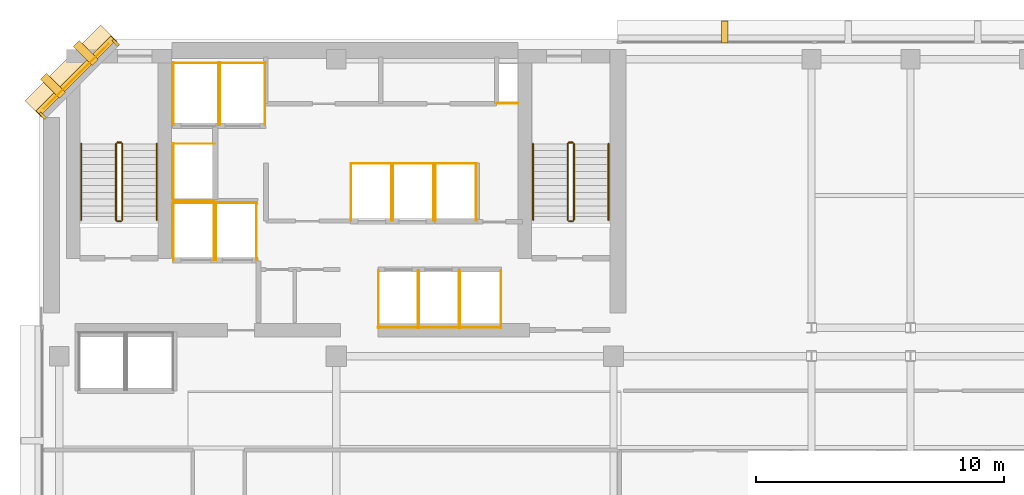
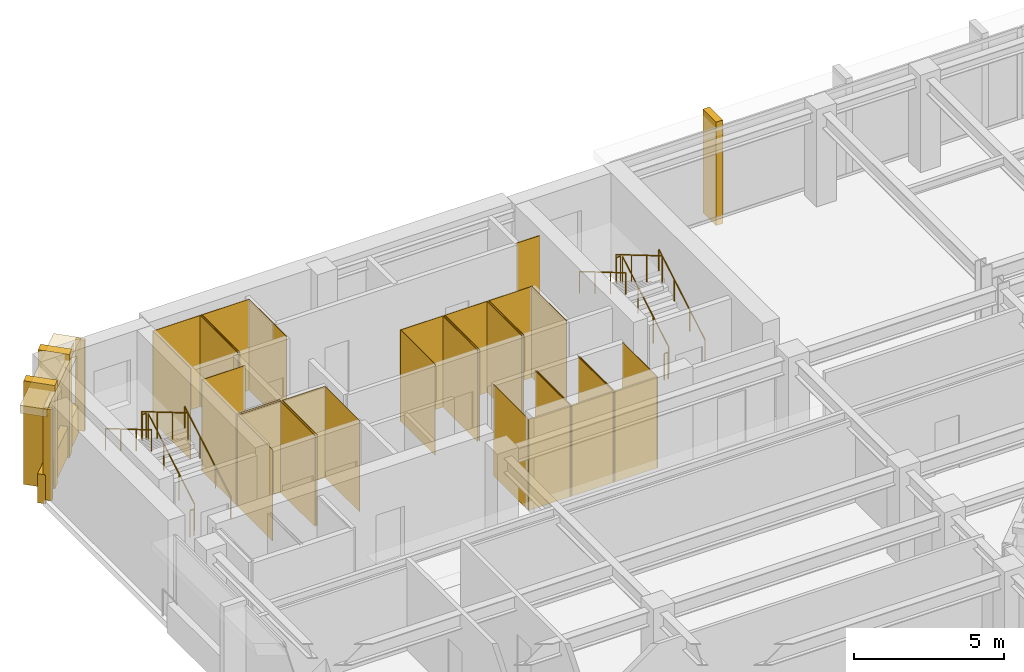
# One storey, part 10 of 11: 42 coverings, 12 railings.
"""IFC4 building model written with IfcOpenShell, lengths in metres."""

import ifcopenshell
import ifcopenshell.guid

model = None  # the IFC model being written
_history = None  # IfcOwnerHistory: only IFC2X3 demands one
_inside = {}  # id of a spatial element -> (the spatial element, [elements in it])
_under = {}  # id of a project, library or spatial element -> (it, [spatial elements below it])
_declared = {}  # id of a project -> (the project, [libraries it declares])
_typed = {}  # id of a type object -> (the type object, [elements of that type])
_made_of = {}  # id of a material, layer set ... -> (it, [elements and type objects made of it])


def new_model(schema):
    """Start an empty IFC model of exactly this schema.

    Asked for "IFC4X3", IfcOpenShell would pick the latest addendum, in which some entities
    have other attributes; the version numbers below select the first issue.
    IFC2X3 requires an IfcOwnerHistory on every rooted entity: one is made here for all.
    """
    global model, _history
    if schema == "IFC4X3":
        model = ifcopenshell.file(schema_version=(4, 3, 0, 0))
    else:
        model = ifcopenshell.file(schema=schema)
    _inside.clear()
    _under.clear()
    _declared.clear()
    _typed.clear()
    _made_of.clear()
    _history = None
    if model.schema == "IFC2X3":
        org = make("IfcOrganization", Name="unknown")
        user = make(
            "IfcPersonAndOrganization",
            ThePerson=make("IfcPerson", FamilyName="unknown"),
            TheOrganization=org,
        )
        app = make(
            "IfcApplication",
            ApplicationDeveloper=org,
            Version="unknown",
            ApplicationFullName="unknown",
            ApplicationIdentifier="unknown",
        )
        _history = make(
            "IfcOwnerHistory",
            OwningUser=user,
            OwningApplication=app,
            ChangeAction="ADDED",
            CreationDate=0,
        )
    return model


def make(cls, **values):
    """One entity of the class cls with the attributes given. An attribute that is None is left unset."""
    return model.create_entity(
        cls, **{name: value for name, value in values.items() if value is not None}
    )


def rooted(cls, **values):
    """An entity with a GlobalId (a new one), such as an element, a storey or a relation."""
    return make(cls, GlobalId=ifcopenshell.guid.new(), OwnerHistory=_history, **values)


def si_unit(unit_type, name, prefix=None):
    """IfcSIUnit, for example si_unit("LENGTHUNIT", "METRE", prefix="MILLI")."""
    return make("IfcSIUnit", UnitType=unit_type, Prefix=prefix, Name=name)


def assignment(units):
    """IfcUnitAssignment: the units of a project."""
    return None if units is None else make("IfcUnitAssignment", Units=units)


def point(xyz):
    """IfcCartesianPoint."""
    return None if xyz is None else make("IfcCartesianPoint", Coordinates=xyz)


def direction(xyz):
    """IfcDirection."""
    return None if xyz is None else make("IfcDirection", DirectionRatios=xyz)


def frame(location, z_axis=None, x_axis=None):
    """IfcAxis2Placement3D, a coordinate frame: its origin and axes. An axis left out is left unset."""
    return make(
        "IfcAxis2Placement3D",
        Location=point(location),
        Axis=direction(z_axis),
        RefDirection=direction(x_axis),
    )


def frame_2d(location, x_axis=None):
    """IfcAxis2Placement2D, a coordinate frame in the plane: its origin and x axis."""
    return make(
        "IfcAxis2Placement2D", Location=point(location), RefDirection=direction(x_axis)
    )


def origin():
    """The frame at (0, 0, 0) with its axes left unset."""
    return frame((0.0, 0.0, 0.0))


def origin_2d():
    """The frame at (0, 0) in the plane with its x axis left unset."""
    return frame_2d((0.0, 0.0))


def place(relative_to, where):
    """IfcLocalPlacement: puts the frame where relative to a parent placement (None: the world)."""
    return make(
        "IfcLocalPlacement", PlacementRelTo=relative_to, RelativePlacement=where
    )


def context(
    kind, dimensions, precision=None, world=None, true_north=None, identifier=None
):
    """IfcGeometricRepresentationContext, for example the 3D "Model" context."""
    return make(
        "IfcGeometricRepresentationContext",
        ContextIdentifier=identifier,
        ContextType=kind,
        CoordinateSpaceDimension=dimensions,
        Precision=precision,
        WorldCoordinateSystem=world,
        TrueNorth=true_north,
    )


def subcontext(parent, identifier, kind, view, scale=None):
    """IfcGeometricRepresentationSubContext, for example "Body" below "Model"."""
    return make(
        "IfcGeometricRepresentationSubContext",
        ContextIdentifier=identifier,
        ContextType=kind,
        ParentContext=parent,
        TargetScale=scale,
        TargetView=view,
    )


def project(units=None, contexts=None):
    """IfcProject with its units and contexts."""
    return rooted(
        "IfcProject",
        Name="project",
        RepresentationContexts=contexts,
        UnitsInContext=assignment(units),
    )


def spatial(cls, under=None, at=None, **own):
    """A site, building, storey or space (cls), placed at a placement, below another one or the project."""
    s = rooted(cls, ObjectPlacement=at, **own)
    if under is not None:
        _under.setdefault(under.id(), (under, []))[1].append(s)
    return s


def polyline(points):
    """IfcPolyline through the points."""
    return make("IfcPolyline", Points=[point(p) for p in points])


def profile(cls, at=None, kind="AREA", **sizes):
    """A parametric profile (cls). Its sizes go by their IFC names, for example OverallWidth=200.0."""
    return make(cls, ProfileType=kind, Position=at, **sizes)


def rectangle(**sizes):
    """IfcRectangleProfileDef."""
    return profile("IfcRectangleProfileDef", **sizes)


def circle(**sizes):
    """IfcCircleProfileDef."""
    return profile("IfcCircleProfileDef", **sizes)


def outline(outer, holes=None, kind="AREA"):
    """IfcArbitraryClosedProfileDef: a profile drawn as a closed curve; with holes, ...WithVoids."""
    if holes is None:
        return make("IfcArbitraryClosedProfileDef", ProfileType=kind, OuterCurve=outer)
    return make(
        "IfcArbitraryProfileDefWithVoids",
        ProfileType=kind,
        OuterCurve=outer,
        InnerCurves=holes,
    )


def extrude(swept, where, along, depth):
    """IfcExtrudedAreaSolid: the profile swept, set in the frame where, extruded along a direction by depth."""
    return make(
        "IfcExtrudedAreaSolid",
        SweptArea=swept,
        Position=where,
        ExtrudedDirection=direction(along),
        Depth=depth,
    )


def shape(context_of_items, identifier, shape_type, items):
    """IfcShapeRepresentation: the items that make up one representation, for example the "Body"."""
    return make(
        "IfcShapeRepresentation",
        ContextOfItems=context_of_items,
        RepresentationIdentifier=identifier,
        RepresentationType=shape_type,
        Items=items,
    )


def material(Name=None, Category=None):
    """IfcMaterial."""
    return make("IfcMaterial", Name=Name, Category=Category)


def layer(
    of_material, thickness, ventilated=None, Name=None, Category=None, Priority=None
):
    """IfcMaterialLayer: one layer of a wall or slab, of a material (None: an air gap)."""
    return make(
        "IfcMaterialLayer",
        Material=of_material,
        LayerThickness=thickness,
        IsVentilated=ventilated,
        Name=Name,
        Category=Category,
        Priority=Priority,
    )


def layer_set(layers, Name=None):
    """IfcMaterialLayerSet."""
    return make("IfcMaterialLayerSet", MaterialLayers=layers, LayerSetName=Name)


def made_of(thing, what):
    """Note that an element or type object is made of a material, layer set ...; save() writes the relation."""
    if what is not None:
        _made_of.setdefault(what.id(), (what, []))[1].append(thing)
    return thing


def type_object(cls, material=None, **own):
    """A type object (cls), such as IfcWallType, which elements share."""
    return made_of(rooted(cls, **own), material)


def element(
    cls,
    number,
    at=None,
    inside=None,
    cuts=None,
    type_object=None,
    material=None,
    context=None,
    identifier="Body",
    shape_type=None,
    held_by="IfcProductDefinitionShape",
    body=None,
    shapes=None,
    **own,
):
    """One element of the class cls, such as IfcWall. Its Tag is "e" and its number.

    at: its placement. inside: the storey or other place that contains it. cuts: it is an
    opening in that element (IfcRelVoidsElement). A single representation is given by context,
    identifier, shape_type and body (its items); several are given by shapes. held_by: the class
    of the entity that holds the representations. save() writes the other relations.
    """
    e = rooted(cls, Tag="e%d" % number, ObjectPlacement=at, **own)
    if body is not None:
        shapes = [shape(context, identifier, shape_type, body)]
    if shapes is not None:
        e.Representation = make(held_by, Representations=shapes)
    if inside is not None:
        _inside.setdefault(inside.id(), (inside, []))[1].append(e)
    if cuts is not None:
        rooted(
            "IfcRelVoidsElement", RelatingBuildingElement=cuts, RelatedOpeningElement=e
        )
    if type_object is not None:
        _typed.setdefault(type_object.id(), (type_object, []))[1].append(e)
    return made_of(e, material)


def aggregate(whole, parts):
    """IfcRelAggregates: a whole, such as a stair, and the parts it consists of."""
    return rooted("IfcRelAggregates", RelatingObject=whole, RelatedObjects=parts)


def save(model, path):
    """Write the relations noted so far, then the file.

    IfcRelAggregates (storeys below a building ...), IfcRelContainedInSpatialStructure (elements
    in a storey), IfcRelDefinesByType, IfcRelAssociatesMaterial and IfcRelDeclares: one each for
    every whole, place, type object, material and project.
    """
    for whole, parts in _under.values():
        aggregate(whole, parts)
    for where, things in _inside.values():
        rooted(
            "IfcRelContainedInSpatialStructure",
            RelatedElements=things,
            RelatingStructure=where,
        )
    for kind, things in _typed.values():
        rooted("IfcRelDefinesByType", RelatedObjects=things, RelatingType=kind)
    for what, things in _made_of.values():
        rooted("IfcRelAssociatesMaterial", RelatedObjects=things, RelatingMaterial=what)
    for by, libraries in _declared.values():
        rooted("IfcRelDeclares", RelatingContext=by, RelatedDefinitions=libraries)
    model.write(path)


model = new_model("IFC4")

# Units and contexts
model_context = context("Model", 3, precision=1e-05, world=origin(), true_north=direction((0.0, 1.0)))
body_context = subcontext(model_context, "Body", "Model", "MODEL_VIEW")
ifc_project = project(units=[si_unit("LENGTHUNIT", "METRE"), si_unit("AREAUNIT", "SQUARE_METRE"), si_unit("VOLUMEUNIT", "CUBIC_METRE"), si_unit("PLANEANGLEUNIT", "RADIAN"), si_unit("MASSUNIT", "GRAM", prefix="KILO")], contexts=[model_context])

# Site, building, storey
site_placement = place(None, origin())
site = spatial("IfcSite", under=ifc_project, at=site_placement, CompositionType="ELEMENT")
building_placement = place(site_placement, origin())
building = spatial("IfcBuilding", under=site, at=building_placement, Name="Kefirva Bronze Tower", CompositionType="ELEMENT")
storey_placement = place(building_placement, frame((0.0, 0.0, 191.39990234375)))
storey = spatial("IfcBuildingStorey", under=building, at=storey_placement, Name="L46", CompositionType="ELEMENT", Elevation=191.39990234375)

# Coverings
ifc_material_1 = material(Name="Bronze anodised aluminium", Category="aluminium")
ifc_layer_1 = layer(ifc_material_1, 0.02001953125, Name="Bronze anodised aluminium")
ifc_layer_set_1 = layer_set([ifc_layer_1], Name="Bronze anodised aluminium")
covering_type_1 = type_object("IfcCoveringType", Name="Anodised Bronze Spandrel Cladding 20mm", PredefinedType="CLADDING", material=ifc_layer_set_1)
covering_1_placement = place(storey_placement, frame((1.492919921875, 44.507080078125, 3.2900390625), z_axis=(0.0, 0.0, 1.0), x_axis=(-0.707106781187, -0.707106781187, 0.0)))
element("IfcCovering", 1, at=covering_1_placement, inside=storey, type_object=covering_type_1, Name="L46 Bronze Spandrel Cladding 7", PredefinedType="CLADDING", context=body_context, shape_type="SweptSolid", body=[
    extrude(rectangle(XDim=3.719482421875, YDim=0.02001953125, at=origin_2d()), origin(), (0.0, 0.0, 1.0), 0.39990234375),
])
for number, where, z_axis, x_axis, name in (
    (2, (3.08837890625, 45.862060546875, 0.0), (0.0, 0.0, 1.0), (-0.707106781187, -0.707106781187, 0.0), "L46 Facade Joint Closure Panel 7S"),
    (3, (0.137939453125, 42.91162109375, 0.0), (0.0, 0.0, 1.0), (-0.707106781187, -0.707106781187, 0.0), "L46 Facade Joint Closure Panel 7E"),
):
    element("IfcCovering", number, at=place(storey_placement, frame(where, z_axis=z_axis, x_axis=x_axis)), inside=storey, type_object=covering_type_1, Name=name, PredefinedType="CLADDING", context=body_context, shape_type="SweptSolid", body=[
        extrude(rectangle(XDim=0.10009765625, YDim=0.320068359375, at=origin_2d()), origin(), (0.0, 0.0, 1.0), 3.7099609375),
    ])
covering_2_placement = place(storey_placement, frame((1.4716796875, 44.5283203125, -0.15966796875), z_axis=(0.0, 0.0, 1.0), x_axis=(-0.707106781187, -0.707106781187, 0.0)))
element("IfcCovering", 4, at=covering_2_placement, inside=storey, type_object=covering_type_1, Name="L46 Streamline Horizontal Spandrel Band 9", PredefinedType="CLADDING", context=body_context, shape_type="SweptSolid", body=[
    extrude(rectangle(XDim=4.28271484375, YDim=0.280029296875, at=origin_2d()), origin(), (0.0, 0.0, 1.0), 1.179931640625),
])
covering_3_placement = place(storey_placement, origin())
element("IfcCovering", 5, at=covering_3_placement, inside=storey, type_object=covering_type_1, Name="L46 Lift FF1 Hoistway Liner N", PredefinedType="CLADDING", context=body_context, shape_type="SweptSolid", body=[
    extrude(outline(polyline([(5.39990234375, 39.389892578125), (7.080078125, 39.389892578125), (7.080078125, 39.409912109375), (5.39990234375, 39.409912109375), (5.39990234375, 39.389892578125)])), origin(), (0.0, 0.0, 1.0), 3.710205078125),
])
covering_4_placement = place(storey_placement, origin())
element("IfcCovering", 6, at=covering_4_placement, inside=storey, type_object=covering_type_1, Name="L46 Lift FF1 Hoistway Liner W", PredefinedType="CLADDING", context=body_context, shape_type="SweptSolid", body=[
    extrude(outline(polyline([(5.409912109375, 37.080078125), (5.429931640625, 37.080078125), (5.429931640625, 39.419921875), (5.409912109375, 39.419921875), (5.409912109375, 37.080078125)])), origin(), (0.0, 0.0, 1.0), 3.710205078125),
])
covering_5_placement = place(storey_placement, origin())
element("IfcCovering", 7, at=covering_5_placement, inside=storey, type_object=covering_type_1, Name="L46 Lift FF1 Hoistway Liner E", PredefinedType="CLADDING", context=body_context, shape_type="SweptSolid", body=[
    extrude(outline(polyline([(7.050048828125, 37.080078125), (7.070068359375, 37.080078125), (7.070068359375, 39.419921875), (7.050048828125, 39.419921875), (7.050048828125, 37.080078125)])), origin(), (0.0, 0.0, 1.0), 3.710205078125),
])
covering_6_placement = place(storey_placement, origin())
element("IfcCovering", 8, at=covering_6_placement, inside=storey, type_object=covering_type_1, Name="L46 Lift FF2 Hoistway Liner N", PredefinedType="CLADDING", context=body_context, shape_type="SweptSolid", body=[
    extrude(outline(polyline([(7.1201171875, 39.389892578125), (8.800048828125, 39.389892578125), (8.800048828125, 39.409912109375), (7.1201171875, 39.409912109375), (7.1201171875, 39.389892578125)])), origin(), (0.0, 0.0, 1.0), 3.710205078125),
])
covering_7_placement = place(storey_placement, origin())
element("IfcCovering", 9, at=covering_7_placement, inside=storey, type_object=covering_type_1, Name="L46 Lift FF2 Hoistway Liner W", PredefinedType="CLADDING", context=body_context, shape_type="SweptSolid", body=[
    extrude(outline(polyline([(7.1298828125, 37.080078125), (7.14990234375, 37.080078125), (7.14990234375, 39.419921875), (7.1298828125, 39.419921875), (7.1298828125, 37.080078125)])), origin(), (0.0, 0.0, 1.0), 3.710205078125),
])
covering_8_placement = place(storey_placement, origin())
element("IfcCovering", 10, at=covering_8_placement, inside=storey, type_object=covering_type_1, Name="L46 Lift FF2 Hoistway Liner E", PredefinedType="CLADDING", context=body_context, shape_type="SweptSolid", body=[
    extrude(outline(polyline([(8.77001953125, 37.080078125), (8.7900390625, 37.080078125), (8.7900390625, 39.419921875), (8.77001953125, 39.419921875), (8.77001953125, 37.080078125)])), origin(), (0.0, 0.0, 1.0), 3.710205078125),
])
covering_9_placement = place(storey_placement, origin())
element("IfcCovering", 11, at=covering_9_placement, inside=storey, type_object=covering_type_1, Name="L46 Lift SV1 Hoistway Liner N", PredefinedType="CLADDING", context=body_context, shape_type="SweptSolid", body=[
    extrude(outline(polyline([(5.39990234375, 45.0400390625), (7.260009765625, 45.0400390625), (7.260009765625, 45.06005859375), (5.39990234375, 45.06005859375), (5.39990234375, 45.0400390625)])), origin(), (0.0, 0.0, 1.0), 3.710205078125),
])
covering_10_placement = place(storey_placement, origin())
element("IfcCovering", 12, at=covering_10_placement, inside=storey, type_object=covering_type_1, Name="L46 Lift SV1 Hoistway Liner W", PredefinedType="CLADDING", context=body_context, shape_type="SweptSolid", body=[
    extrude(outline(polyline([(5.409912109375, 42.530029296875), (5.429931640625, 42.530029296875), (5.429931640625, 45.070068359375), (5.409912109375, 45.070068359375), (5.409912109375, 42.530029296875)])), origin(), (0.0, 0.0, 1.0), 3.710205078125),
])
covering_11_placement = place(storey_placement, origin())
element("IfcCovering", 13, at=covering_11_placement, inside=storey, type_object=covering_type_1, Name="L46 Lift SV1 Hoistway Liner E", PredefinedType="CLADDING", context=body_context, shape_type="SweptSolid", body=[
    extrude(outline(polyline([(7.22998046875, 42.530029296875), (7.25, 42.530029296875), (7.25, 45.070068359375), (7.22998046875, 45.070068359375), (7.22998046875, 42.530029296875)])), origin(), (0.0, 0.0, 1.0), 3.710205078125),
])
covering_12_placement = place(storey_placement, origin())
element("IfcCovering", 14, at=covering_12_placement, inside=storey, type_object=covering_type_1, Name="L46 Lift SV2 Hoistway Liner N", PredefinedType="CLADDING", context=body_context, shape_type="SweptSolid", body=[
    extrude(outline(polyline([(7.280029296875, 45.0400390625), (9.139892578125, 45.0400390625), (9.139892578125, 45.06005859375), (7.280029296875, 45.06005859375), (7.280029296875, 45.0400390625)])), origin(), (0.0, 0.0, 1.0), 3.710205078125),
])
covering_13_placement = place(storey_placement, origin())
element("IfcCovering", 15, at=covering_13_placement, inside=storey, type_object=covering_type_1, Name="L46 Lift SV2 Hoistway Liner W", PredefinedType="CLADDING", context=body_context, shape_type="SweptSolid", body=[
    extrude(outline(polyline([(7.2900390625, 42.530029296875), (7.31005859375, 42.530029296875), (7.31005859375, 45.070068359375), (7.2900390625, 45.070068359375), (7.2900390625, 42.530029296875)])), origin(), (0.0, 0.0, 1.0), 3.710205078125),
])
covering_14_placement = place(storey_placement, origin())
element("IfcCovering", 16, at=covering_14_placement, inside=storey, type_object=covering_type_1, Name="L46 Lift SV2 Hoistway Liner E", PredefinedType="CLADDING", context=body_context, shape_type="SweptSolid", body=[
    extrude(outline(polyline([(9.110107421875, 42.530029296875), (9.1298828125, 42.530029296875), (9.1298828125, 45.070068359375), (9.110107421875, 45.070068359375), (9.110107421875, 42.530029296875)])), origin(), (0.0, 0.0, 1.0), 3.710205078125),
])
covering_15_placement = place(storey_placement, origin())
element("IfcCovering", 17, at=covering_15_placement, inside=storey, type_object=covering_type_1, Name="L46 Lift MP1 Hoistway Liner S", PredefinedType="CLADDING", context=body_context, shape_type="SweptSolid", body=[
    extrude(outline(polyline([(13.679931640625, 34.340087890625), (15.320068359375, 34.340087890625), (15.320068359375, 34.360107421875), (13.679931640625, 34.360107421875), (13.679931640625, 34.340087890625)])), origin(), (0.0, 0.0, 1.0), 3.710205078125),
])
covering_16_placement = place(storey_placement, origin())
element("IfcCovering", 18, at=covering_16_placement, inside=storey, type_object=covering_type_1, Name="L46 Lift MP1 Hoistway Liner W", PredefinedType="CLADDING", context=body_context, shape_type="SweptSolid", body=[
    extrude(outline(polyline([(13.68994140625, 34.330078125), (13.7099609375, 34.330078125), (13.7099609375, 36.669921875), (13.68994140625, 36.669921875), (13.68994140625, 34.330078125)])), origin(), (0.0, 0.0, 1.0), 3.710205078125),
])
covering_17_placement = place(storey_placement, origin())
element("IfcCovering", 19, at=covering_17_placement, inside=storey, type_object=covering_type_1, Name="L46 Lift MP1 Hoistway Liner E", PredefinedType="CLADDING", context=body_context, shape_type="SweptSolid", body=[
    extrude(outline(polyline([(15.2900390625, 34.330078125), (15.31005859375, 34.330078125), (15.31005859375, 36.669921875), (15.2900390625, 36.669921875), (15.2900390625, 34.330078125)])), origin(), (0.0, 0.0, 1.0), 3.710205078125),
])
covering_18_placement = place(storey_placement, origin())
element("IfcCovering", 20, at=covering_18_placement, inside=storey, type_object=covering_type_1, Name="L46 Lift MP2 Hoistway Liner S", PredefinedType="CLADDING", context=body_context, shape_type="SweptSolid", body=[
    extrude(outline(polyline([(15.330078125, 34.340087890625), (16.969970703125, 34.340087890625), (16.969970703125, 34.360107421875), (15.330078125, 34.360107421875), (15.330078125, 34.340087890625)])), origin(), (0.0, 0.0, 1.0), 3.710205078125),
])
covering_19_placement = place(storey_placement, origin())
element("IfcCovering", 21, at=covering_19_placement, inside=storey, type_object=covering_type_1, Name="L46 Lift MP2 Hoistway Liner W", PredefinedType="CLADDING", context=body_context, shape_type="SweptSolid", body=[
    extrude(outline(polyline([(15.340087890625, 34.330078125), (15.360107421875, 34.330078125), (15.360107421875, 36.669921875), (15.340087890625, 36.669921875), (15.340087890625, 34.330078125)])), origin(), (0.0, 0.0, 1.0), 3.710205078125),
])
covering_20_placement = place(storey_placement, origin())
element("IfcCovering", 22, at=covering_20_placement, inside=storey, type_object=covering_type_1, Name="L46 Lift MP2 Hoistway Liner E", PredefinedType="CLADDING", context=body_context, shape_type="SweptSolid", body=[
    extrude(outline(polyline([(16.93994140625, 34.330078125), (16.9599609375, 34.330078125), (16.9599609375, 36.669921875), (16.93994140625, 36.669921875), (16.93994140625, 34.330078125)])), origin(), (0.0, 0.0, 1.0), 3.710205078125),
])
covering_21_placement = place(storey_placement, origin())
element("IfcCovering", 23, at=covering_21_placement, inside=storey, type_object=covering_type_1, Name="L46 Lift MP3 Hoistway Liner N", PredefinedType="CLADDING", context=body_context, shape_type="SweptSolid", body=[
    extrude(outline(polyline([(12.580078125, 40.969970703125), (14.25, 40.969970703125), (14.25, 40.989990234375), (12.580078125, 40.989990234375), (12.580078125, 40.969970703125)])), origin(), (0.0, 0.0, 1.0), 3.710205078125),
])
covering_22_placement = place(storey_placement, origin())
element("IfcCovering", 24, at=covering_22_placement, inside=storey, type_object=covering_type_1, Name="L46 Lift MP3 Hoistway Liner W", PredefinedType="CLADDING", context=body_context, shape_type="SweptSolid", body=[
    extrude(outline(polyline([(12.590087890625, 38.659912109375), (12.610107421875, 38.659912109375), (12.610107421875, 41.0), (12.590087890625, 41.0), (12.590087890625, 38.659912109375)])), origin(), (0.0, 0.0, 1.0), 3.710205078125),
])
covering_23_placement = place(storey_placement, origin())
element("IfcCovering", 25, at=covering_23_placement, inside=storey, type_object=covering_type_1, Name="L46 Lift MP3 Hoistway Liner E", PredefinedType="CLADDING", context=body_context, shape_type="SweptSolid", body=[
    extrude(outline(polyline([(14.219970703125, 38.659912109375), (14.239990234375, 38.659912109375), (14.239990234375, 41.0), (14.219970703125, 41.0), (14.219970703125, 38.659912109375)])), origin(), (0.0, 0.0, 1.0), 3.710205078125),
])
covering_24_placement = place(storey_placement, origin())
element("IfcCovering", 26, at=covering_24_placement, inside=storey, type_object=covering_type_1, Name="L46 Lift MP4 Hoistway Liner N", PredefinedType="CLADDING", context=body_context, shape_type="SweptSolid", body=[
    extrude(outline(polyline([(14.280029296875, 40.969970703125), (15.949951171875, 40.969970703125), (15.949951171875, 40.989990234375), (14.280029296875, 40.989990234375), (14.280029296875, 40.969970703125)])), origin(), (0.0, 0.0, 1.0), 3.710205078125),
])
covering_25_placement = place(storey_placement, origin())
element("IfcCovering", 27, at=covering_25_placement, inside=storey, type_object=covering_type_1, Name="L46 Lift MP4 Hoistway Liner W", PredefinedType="CLADDING", context=body_context, shape_type="SweptSolid", body=[
    extrude(outline(polyline([(14.2900390625, 38.659912109375), (14.31005859375, 38.659912109375), (14.31005859375, 41.0), (14.2900390625, 41.0), (14.2900390625, 38.659912109375)])), origin(), (0.0, 0.0, 1.0), 3.710205078125),
])
covering_26_placement = place(storey_placement, origin())
element("IfcCovering", 28, at=covering_26_placement, inside=storey, type_object=covering_type_1, Name="L46 Lift MP4 Hoistway Liner E", PredefinedType="CLADDING", context=body_context, shape_type="SweptSolid", body=[
    extrude(outline(polyline([(15.919921875, 38.659912109375), (15.93994140625, 38.659912109375), (15.93994140625, 41.0), (15.919921875, 41.0), (15.919921875, 38.659912109375)])), origin(), (0.0, 0.0, 1.0), 3.710205078125),
])
covering_27_placement = place(storey_placement, origin())
element("IfcCovering", 29, at=covering_27_placement, inside=storey, type_object=covering_type_1, Name="L46 Lift HP1 Hoistway Liner S", PredefinedType="CLADDING", context=body_context, shape_type="SweptSolid", body=[
    extrude(outline(polyline([(16.97998046875, 34.340087890625), (18.669921875, 34.340087890625), (18.669921875, 34.360107421875), (16.97998046875, 34.360107421875), (16.97998046875, 34.340087890625)])), origin(), (0.0, 0.0, 1.0), 3.710205078125),
])
covering_28_placement = place(storey_placement, origin())
element("IfcCovering", 30, at=covering_28_placement, inside=storey, type_object=covering_type_1, Name="L46 Lift HP1 Hoistway Liner W", PredefinedType="CLADDING", context=body_context, shape_type="SweptSolid", body=[
    extrude(outline(polyline([(16.989990234375, 34.330078125), (17.010009765625, 34.330078125), (17.010009765625, 36.669921875), (16.989990234375, 36.669921875), (16.989990234375, 34.330078125)])), origin(), (0.0, 0.0, 1.0), 3.710205078125),
])
covering_29_placement = place(storey_placement, origin())
element("IfcCovering", 31, at=covering_29_placement, inside=storey, type_object=covering_type_1, Name="L46 Lift HP1 Hoistway Liner E", PredefinedType="CLADDING", context=body_context, shape_type="SweptSolid", body=[
    extrude(outline(polyline([(18.639892578125, 34.330078125), (18.659912109375, 34.330078125), (18.659912109375, 36.669921875), (18.639892578125, 36.669921875), (18.639892578125, 34.330078125)])), origin(), (0.0, 0.0, 1.0), 3.710205078125),
])
covering_30_placement = place(storey_placement, origin())
element("IfcCovering", 32, at=covering_30_placement, inside=storey, type_object=covering_type_1, Name="L46 Lift HP2 Hoistway Liner N", PredefinedType="CLADDING", context=body_context, shape_type="SweptSolid", body=[
    extrude(outline(polyline([(15.97998046875, 40.969970703125), (17.669921875, 40.969970703125), (17.669921875, 40.989990234375), (15.97998046875, 40.989990234375), (15.97998046875, 40.969970703125)])), origin(), (0.0, 0.0, 1.0), 3.710205078125),
])
covering_31_placement = place(storey_placement, origin())
element("IfcCovering", 33, at=covering_31_placement, inside=storey, type_object=covering_type_1, Name="L46 Lift HP2 Hoistway Liner W", PredefinedType="CLADDING", context=body_context, shape_type="SweptSolid", body=[
    extrude(outline(polyline([(15.989990234375, 38.659912109375), (16.010009765625, 38.659912109375), (16.010009765625, 41.0), (15.989990234375, 41.0), (15.989990234375, 38.659912109375)])), origin(), (0.0, 0.0, 1.0), 3.710205078125),
])
covering_32_placement = place(storey_placement, origin())
element("IfcCovering", 34, at=covering_32_placement, inside=storey, type_object=covering_type_1, Name="L46 Lift HP2 Hoistway Liner E", PredefinedType="CLADDING", context=body_context, shape_type="SweptSolid", body=[
    extrude(outline(polyline([(17.639892578125, 38.659912109375), (17.659912109375, 38.659912109375), (17.659912109375, 41.0), (17.639892578125, 41.0), (17.639892578125, 38.659912109375)])), origin(), (0.0, 0.0, 1.0), 3.710205078125),
])
covering_33_placement = place(storey_placement, origin())
element("IfcCovering", 35, at=covering_33_placement, inside=storey, type_object=covering_type_1, Name="L46 Lift HP3 Hoistway Liner N", PredefinedType="CLADDING", context=body_context, shape_type="SweptSolid", body=[
    extrude(outline(polyline([(5.39990234375, 41.77001953125), (7.080078125, 41.77001953125), (7.080078125, 41.7900390625), (5.39990234375, 41.7900390625), (5.39990234375, 41.77001953125)])), origin(), (0.0, 0.0, 1.0), 3.710205078125),
])
covering_34_placement = place(storey_placement, origin())
element("IfcCovering", 36, at=covering_34_placement, inside=storey, type_object=covering_type_1, Name="L46 Lift HP3 Hoistway Liner S", PredefinedType="CLADDING", context=body_context, shape_type="SweptSolid", body=[
    extrude(outline(polyline([(5.39990234375, 39.469970703125), (7.080078125, 39.469970703125), (7.080078125, 39.489990234375), (5.39990234375, 39.489990234375), (5.39990234375, 39.469970703125)])), origin(), (0.0, 0.0, 1.0), 3.710205078125),
])
covering_35_placement = place(storey_placement, origin())
element("IfcCovering", 37, at=covering_35_placement, inside=storey, type_object=covering_type_1, Name="L46 Lift HP3 Hoistway Liner W", PredefinedType="CLADDING", context=body_context, shape_type="SweptSolid", body=[
    extrude(outline(polyline([(5.409912109375, 39.4599609375), (5.429931640625, 39.4599609375), (5.429931640625, 41.800048828125), (5.409912109375, 41.800048828125), (5.409912109375, 39.4599609375)])), origin(), (0.0, 0.0, 1.0), 3.710205078125),
])
covering_36_placement = place(storey_placement, origin())
element("IfcCovering", 38, at=covering_36_placement, inside=storey, type_object=covering_type_1, Name="L46 Core MEP Riser Shaft Liner South", PredefinedType="CLADDING", context=body_context, shape_type="SweptSolid", body=[
    extrude(outline(polyline([(18.47998046875, 43.39990234375), (19.360107421875, 43.39990234375), (19.360107421875, 43.429931640625), (18.47998046875, 43.429931640625), (18.47998046875, 43.39990234375)])), origin(), (0.0, 0.0, 1.0), 3.710205078125),
])

# Railings
ifc_material_2 = material(Name="Stainless steel 316", Category="steel")
railing_type_1 = type_object("IfcRailingType", Name="Interior Stair Guardrail 1100mm", PredefinedType="GUARDRAIL", material=ifc_material_2)
railing_1_placement = place(storey_placement, frame((3.35009765625, 38.699951171875, 0.1650390625)))
element("IfcRailing", 39, at=railing_1_placement, inside=storey, type_object=railing_type_1, Name="L46 ST-1 stair guard 1", PredefinedType="GUARDRAIL", context=body_context, shape_type="SweptSolid", body=[
    extrude(circle(Radius=0.02392578125, at=origin_2d()), frame((0.0, 0.0, 1.076171875), z_axis=(0.0, 0.861551262678, 0.507670583921), x_axis=(-1.0, 0.0, 0.0)), (0.0, 0.0, 1.0), 3.574951171875),
    extrude(circle(Radius=0.02099609375, at=origin_2d()), origin(), (0.0, 0.0, 1.0), 1.052001953125),
    extrude(circle(Radius=0.02099609375, at=origin_2d()), frame((0.0, 1.026611328125, 0.60498046875)), (0.0, 0.0, 1.0), 1.052001953125),
    extrude(circle(Radius=0.02099609375, at=origin_2d()), frame((0.0, 2.053466796875, 1.2099609375)), (0.0, 0.0, 1.0), 1.052001953125),
    extrude(circle(Radius=0.02099609375, at=origin_2d()), frame((0.0, 3.080078125, 1.81494140625)), (0.0, 0.0, 1.0), 1.052001953125),
])
railing_2_placement = place(storey_placement, frame((3.300048828125, 41.830078125, 1.97998046875)))
element("IfcRailing", 40, at=railing_2_placement, inside=storey, type_object=railing_type_1, Name="L46 ST-1 stair guard 2", PredefinedType="GUARDRAIL", context=body_context, shape_type="SweptSolid", body=[
    extrude(circle(Radius=0.02392578125, at=origin_2d()), frame((0.0, 0.0, 1.076171875), z_axis=(-1.0, 0.0, 0.0), x_axis=(0.0, -1.0, 0.0)), (0.0, 0.0, 1.0), 0.150146484375),
    extrude(circle(Radius=0.02099609375, at=origin_2d()), origin(), (0.0, 0.0, 1.0), 1.052001953125),
    extrude(circle(Radius=0.02099609375, at=origin_2d()), frame((-0.150146484375, 0.0, 0.0)), (0.0, 0.0, 1.0), 1.052001953125),
])
railing_3_placement = place(storey_placement, frame((3.10009765625, 41.780029296875, 2.14501953125)))
element("IfcRailing", 41, at=railing_3_placement, inside=storey, type_object=railing_type_1, Name="L46 ST-1 stair guard 3", PredefinedType="GUARDRAIL", context=body_context, shape_type="SweptSolid", body=[
    extrude(circle(Radius=0.02392578125, at=origin_2d()), frame((0.0, 0.0, 1.076171875), z_axis=(0.0, -0.861521393093, 0.507721271215), x_axis=(1.0, 0.0, 0.0)), (0.0, 0.0, 1.0), 3.5751953125),
    extrude(circle(Radius=0.02099609375, at=origin_2d()), origin(), (0.0, 0.0, 1.0), 1.052001953125),
    extrude(circle(Radius=0.02099609375, at=origin_2d()), frame((0.0, -1.026611328125, 0.60498046875)), (0.0, 0.0, 1.0), 1.052001953125),
    extrude(circle(Radius=0.02099609375, at=origin_2d()), frame((0.0, -2.053466796875, 1.210205078125)), (0.0, 0.0, 1.0), 1.052001953125),
    extrude(circle(Radius=0.02099609375, at=origin_2d()), frame((0.0, -3.080078125, 1.815185546875)), (0.0, 0.0, 1.0), 1.052001953125),
])
railing_4_placement = place(storey_placement, frame((3.300048828125, 38.64990234375, 0.0)))
element("IfcRailing", 42, at=railing_4_placement, inside=storey, type_object=railing_type_1, Name="L46 ST-1 stair guard 4", PredefinedType="GUARDRAIL", context=body_context, shape_type="SweptSolid", body=[
    extrude(circle(Radius=0.02392578125, at=origin_2d()), frame((0.0, 0.0, 1.076171875), z_axis=(-1.0, 0.0, 0.0), x_axis=(0.0, -1.0, 0.0)), (0.0, 0.0, 1.0), 0.150146484375),
    extrude(circle(Radius=0.02099609375, at=origin_2d()), origin(), (0.0, 0.0, 1.0), 1.052001953125),
    extrude(circle(Radius=0.02099609375, at=origin_2d()), frame((-0.150146484375, 0.0, 0.0)), (0.0, 0.0, 1.0), 1.052001953125),
])
railing_5_placement = place(storey_placement, frame((21.60009765625, 38.699951171875, 0.1650390625)))
element("IfcRailing", 43, at=railing_5_placement, inside=storey, type_object=railing_type_1, Name="L46 ST-2 stair guard 1", PredefinedType="GUARDRAIL", context=body_context, shape_type="SweptSolid", body=[
    extrude(circle(Radius=0.02392578125, at=origin_2d()), frame((0.0, 0.0, 1.076171875), z_axis=(0.0, 0.861551262678, 0.507670583921), x_axis=(-1.0, 0.0, 0.0)), (0.0, 0.0, 1.0), 3.574951171875),
    extrude(circle(Radius=0.02099609375, at=origin_2d()), origin(), (0.0, 0.0, 1.0), 1.052001953125),
    extrude(circle(Radius=0.02099609375, at=origin_2d()), frame((0.0, 1.026611328125, 0.60498046875)), (0.0, 0.0, 1.0), 1.052001953125),
    extrude(circle(Radius=0.02099609375, at=origin_2d()), frame((0.0, 2.053466796875, 1.2099609375)), (0.0, 0.0, 1.0), 1.052001953125),
    extrude(circle(Radius=0.02099609375, at=origin_2d()), frame((0.0, 3.080078125, 1.81494140625)), (0.0, 0.0, 1.0), 1.052001953125),
])
railing_6_placement = place(storey_placement, frame((21.550048828125, 41.830078125, 1.97998046875)))
element("IfcRailing", 44, at=railing_6_placement, inside=storey, type_object=railing_type_1, Name="L46 ST-2 stair guard 2", PredefinedType="GUARDRAIL", context=body_context, shape_type="SweptSolid", body=[
    extrude(circle(Radius=0.02392578125, at=origin_2d()), frame((0.0, 0.0, 1.076171875), z_axis=(-1.0, 0.0, 0.0), x_axis=(0.0, -1.0, 0.0)), (0.0, 0.0, 1.0), 0.150146484375),
    extrude(circle(Radius=0.02099609375, at=origin_2d()), origin(), (0.0, 0.0, 1.0), 1.052001953125),
    extrude(circle(Radius=0.02099609375, at=origin_2d()), frame((-0.150146484375, 0.0, 0.0)), (0.0, 0.0, 1.0), 1.052001953125),
])
railing_7_placement = place(storey_placement, frame((21.35009765625, 41.780029296875, 2.14501953125)))
element("IfcRailing", 45, at=railing_7_placement, inside=storey, type_object=railing_type_1, Name="L46 ST-2 stair guard 3", PredefinedType="GUARDRAIL", context=body_context, shape_type="SweptSolid", body=[
    extrude(circle(Radius=0.02392578125, at=origin_2d()), frame((0.0, 0.0, 1.076171875), z_axis=(0.0, -0.861521393093, 0.507721271215), x_axis=(1.0, 0.0, 0.0)), (0.0, 0.0, 1.0), 3.5751953125),
    extrude(circle(Radius=0.02099609375, at=origin_2d()), origin(), (0.0, 0.0, 1.0), 1.052001953125),
    extrude(circle(Radius=0.02099609375, at=origin_2d()), frame((0.0, -1.026611328125, 0.60498046875)), (0.0, 0.0, 1.0), 1.052001953125),
    extrude(circle(Radius=0.02099609375, at=origin_2d()), frame((0.0, -2.053466796875, 1.210205078125)), (0.0, 0.0, 1.0), 1.052001953125),
    extrude(circle(Radius=0.02099609375, at=origin_2d()), frame((0.0, -3.080078125, 1.815185546875)), (0.0, 0.0, 1.0), 1.052001953125),
])
railing_8_placement = place(storey_placement, frame((21.550048828125, 38.64990234375, 0.0)))
element("IfcRailing", 46, at=railing_8_placement, inside=storey, type_object=railing_type_1, Name="L46 ST-2 stair guard 4", PredefinedType="GUARDRAIL", context=body_context, shape_type="SweptSolid", body=[
    extrude(circle(Radius=0.02392578125, at=origin_2d()), frame((0.0, 0.0, 1.076171875), z_axis=(-1.0, 0.0, 0.0), x_axis=(0.0, -1.0, 0.0)), (0.0, 0.0, 1.0), 0.150146484375),
    extrude(circle(Radius=0.02099609375, at=origin_2d()), origin(), (0.0, 0.0, 1.0), 1.052001953125),
    extrude(circle(Radius=0.02099609375, at=origin_2d()), frame((-0.150146484375, 0.0, 0.0)), (0.0, 0.0, 1.0), 1.052001953125),
])
railing_type_2 = type_object("IfcRailingType", Name="Stair Pitch Handrail 900mm", PredefinedType="HANDRAIL", material=ifc_material_2)
railing_9_placement = place(storey_placement, frame((4.75, 38.699951171875, 0.1650390625)))
element("IfcRailing", 47, at=railing_9_placement, inside=storey, type_object=railing_type_2, Name="L46 ST-1 stair handrail 1", PredefinedType="HANDRAIL", context=body_context, shape_type="SweptSolid", body=[
    extrude(circle(Radius=0.02392578125, at=origin_2d()), frame((0.0, 0.0, 0.8759765625), z_axis=(0.0, 0.861551262678, 0.507670583921), x_axis=(-1.0, 0.0, 0.0)), (0.0, 0.0, 1.0), 3.574951171875),
    extrude(circle(Radius=0.02099609375, at=origin_2d()), origin(), (0.0, 0.0, 1.0), 0.851806640625),
    extrude(circle(Radius=0.02099609375, at=origin_2d()), frame((0.0, 1.026611328125, 0.60498046875)), (0.0, 0.0, 1.0), 0.851806640625),
    extrude(circle(Radius=0.02099609375, at=origin_2d()), frame((0.0, 2.053466796875, 1.2099609375)), (0.0, 0.0, 1.0), 0.851806640625),
    extrude(circle(Radius=0.02099609375, at=origin_2d()), frame((0.0, 3.080078125, 1.81494140625)), (0.0, 0.0, 1.0), 0.851806640625),
])
railing_10_placement = place(storey_placement, frame((1.699951171875, 41.780029296875, 2.14501953125)))
element("IfcRailing", 48, at=railing_10_placement, inside=storey, type_object=railing_type_2, Name="L46 ST-1 stair handrail 2", PredefinedType="HANDRAIL", context=body_context, shape_type="SweptSolid", body=[
    extrude(circle(Radius=0.02392578125, at=origin_2d()), frame((0.0, 0.0, 0.8759765625), z_axis=(0.0, -0.861521393093, 0.507721271215), x_axis=(1.0, 0.0, 0.0)), (0.0, 0.0, 1.0), 3.5751953125),
    extrude(circle(Radius=0.02099609375, at=origin_2d()), origin(), (0.0, 0.0, 1.0), 0.851806640625),
    extrude(circle(Radius=0.02099609375, at=origin_2d()), frame((0.0, -1.026611328125, 0.60498046875)), (0.0, 0.0, 1.0), 0.851806640625),
    extrude(circle(Radius=0.02099609375, at=origin_2d()), frame((0.0, -2.053466796875, 1.210205078125)), (0.0, 0.0, 1.0), 0.851806640625),
    extrude(circle(Radius=0.02099609375, at=origin_2d()), frame((0.0, -3.080078125, 1.815185546875)), (0.0, 0.0, 1.0), 0.851806640625),
])
railing_11_placement = place(storey_placement, frame((23.0, 38.699951171875, 0.1650390625)))
element("IfcRailing", 49, at=railing_11_placement, inside=storey, type_object=railing_type_2, Name="L46 ST-2 stair handrail 1", PredefinedType="HANDRAIL", context=body_context, shape_type="SweptSolid", body=[
    extrude(circle(Radius=0.02392578125, at=origin_2d()), frame((0.0, 0.0, 0.8759765625), z_axis=(0.0, 0.861551262678, 0.507670583921), x_axis=(-1.0, 0.0, 0.0)), (0.0, 0.0, 1.0), 3.574951171875),
    extrude(circle(Radius=0.02099609375, at=origin_2d()), origin(), (0.0, 0.0, 1.0), 0.851806640625),
    extrude(circle(Radius=0.02099609375, at=origin_2d()), frame((0.0, 1.026611328125, 0.60498046875)), (0.0, 0.0, 1.0), 0.851806640625),
    extrude(circle(Radius=0.02099609375, at=origin_2d()), frame((0.0, 2.053466796875, 1.2099609375)), (0.0, 0.0, 1.0), 0.851806640625),
    extrude(circle(Radius=0.02099609375, at=origin_2d()), frame((0.0, 3.080078125, 1.81494140625)), (0.0, 0.0, 1.0), 0.851806640625),
])
railing_12_placement = place(storey_placement, frame((19.949951171875, 41.780029296875, 2.14501953125)))
element("IfcRailing", 50, at=railing_12_placement, inside=storey, type_object=railing_type_2, Name="L46 ST-2 stair handrail 2", PredefinedType="HANDRAIL", context=body_context, shape_type="SweptSolid", body=[
    extrude(circle(Radius=0.02392578125, at=origin_2d()), frame((0.0, 0.0, 0.8759765625), z_axis=(0.0, -0.861521393093, 0.507721271215), x_axis=(1.0, 0.0, 0.0)), (0.0, 0.0, 1.0), 3.5751953125),
    extrude(circle(Radius=0.02099609375, at=origin_2d()), origin(), (0.0, 0.0, 1.0), 0.851806640625),
    extrude(circle(Radius=0.02099609375, at=origin_2d()), frame((0.0, -1.026611328125, 0.60498046875)), (0.0, 0.0, 1.0), 0.851806640625),
    extrude(circle(Radius=0.02099609375, at=origin_2d()), frame((0.0, -2.053466796875, 1.210205078125)), (0.0, 0.0, 1.0), 0.851806640625),
    extrude(circle(Radius=0.02099609375, at=origin_2d()), frame((0.0, -3.080078125, 1.815185546875)), (0.0, 0.0, 1.0), 0.851806640625),
])

# Coverings
ifc_layer_2 = layer(ifc_material_1, 0.179931640625, Name="Bronze anodised aluminium")
ifc_layer_set_2 = layer_set([ifc_layer_2], Name="Bronze anodised aluminium")
covering_type_2 = type_object("IfcCoveringType", Name="Streamline Bronze Sunshade Eyebrow Cladding 180mm", PredefinedType="CLADDING", material=ifc_layer_set_2)
covering_37_placement = place(storey_placement, frame((1.28076171875, 44.71923828125, 3.39013671875), z_axis=(0.0, 0.0, 1.0), x_axis=(-0.707106781187, -0.707106781187, 0.0)))
element("IfcCovering", 51, at=covering_37_placement, inside=storey, type_object=covering_type_2, Name="L46 Streamline Bronze Sunshade Eyebrow 9", PredefinedType="CLADDING", context=body_context, shape_type="SweptSolid", body=[
    extrude(rectangle(XDim=4.322509765625, YDim=0.93994140625, at=origin_2d()), origin(), (0.0, 0.0, 1.0), 0.320068359375),
])
ifc_layer_3 = layer(ifc_material_1, 0.260009765625, Name="Bronze anodised aluminium")
ifc_layer_set_3 = layer_set([ifc_layer_3], Name="Bronze anodised aluminium")
covering_type_3 = type_object("IfcCoveringType", Name="Unbroken Bronze Buttress Fin Cladding 260mm", PredefinedType="CLADDING", material=ifc_layer_set_3)
covering_38_placement = place(storey_placement, frame((27.68798828125, 46.300048828125, -0.25), z_axis=(0.0, 0.0, 1.0), x_axis=(-1.0, 0.0, 0.0)))
element("IfcCovering", 52, at=covering_38_placement, inside=storey, type_object=covering_type_3, Name="L46 Unbroken Vertical Bronze Rib Fin 18", PredefinedType="CLADDING", context=body_context, shape_type="SweptSolid", body=[
    extrude(rectangle(XDim=0.260009765625, YDim=0.8798828125, at=origin_2d()), origin(), (0.0, 0.0, 1.0), 4.2099609375),
])
for number, where, z_axis, x_axis, name in (
    (53, (1.877197265625, 45.44287109375, -0.25), (0.0, 0.0, 1.0), (-0.707106781187, -0.707106781187, 0.0), "L46 Chamfered Corner Buttress Fin Cladding 19"),
    (54, (0.55712890625, 44.122802734375, -0.25), (0.0, 0.0, 1.0), (-0.707106781187, -0.707106781187, 0.0), "L46 Chamfered Corner Buttress Fin Cladding 20"),
):
    element("IfcCovering", number, at=place(storey_placement, frame(where, z_axis=z_axis, x_axis=x_axis)), inside=storey, type_object=covering_type_3, Name=name, PredefinedType="CLADDING", context=body_context, shape_type="SweptSolid", body=[
        extrude(rectangle(XDim=0.340087890625, YDim=1.080078125, at=origin_2d()), origin(), (0.0, 0.0, 1.0), 4.2099609375),
    ])

save(model, "model.ifc")
